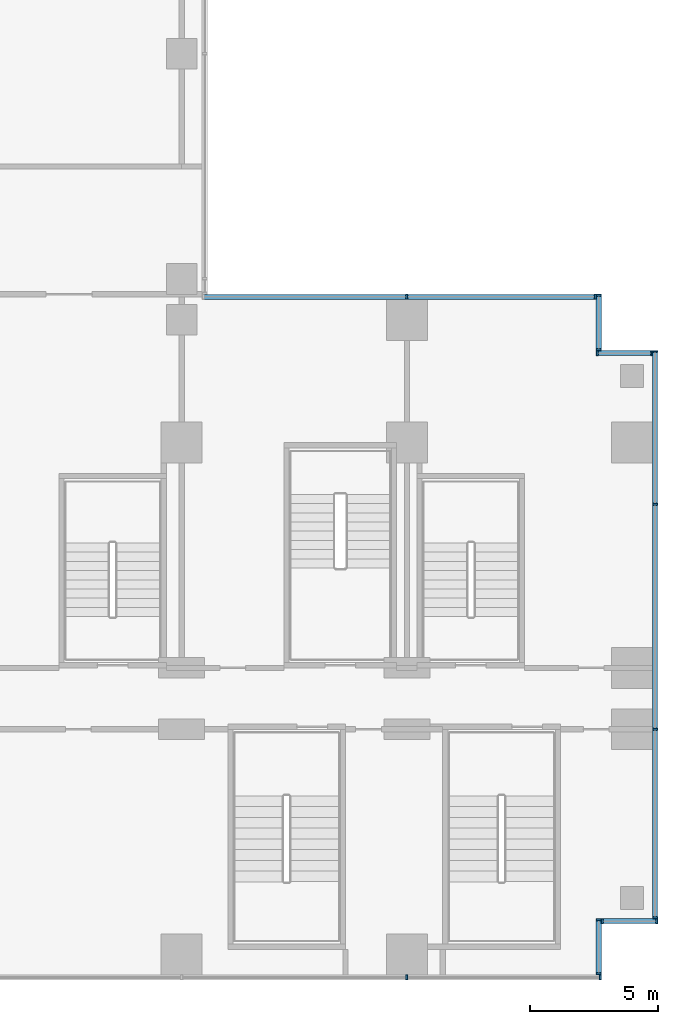
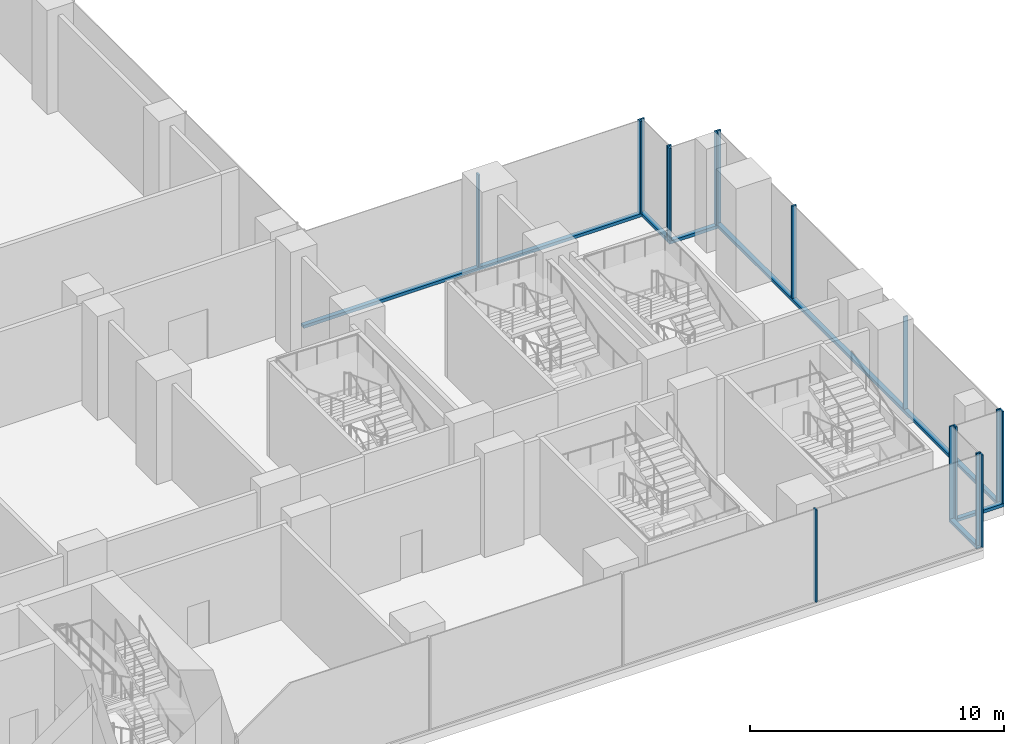
# One storey, part 10 of 30: 22 members, 7 elements without a shape of their own.
"""IFC4 building model written with IfcOpenShell, lengths in metres."""

from ifc_helpers import new_model, si_unit, direction, frame, origin, origin_2d, place, context, subcontext, project, spatial, rectangle, extrude, source, transform, mapped, material, material_profile, profile_set, type_object, element, aggregate, save


model = new_model("IFC4")

# Units and contexts
model_context = context("Model", 3, precision=1e-05, world=origin(), true_north=direction((0.0, 1.0)))
body_context = subcontext(model_context, "Body", "Model", "MODEL_VIEW")
ifc_project = project(units=[si_unit("LENGTHUNIT", "METRE"), si_unit("AREAUNIT", "SQUARE_METRE"), si_unit("VOLUMEUNIT", "CUBIC_METRE"), si_unit("PLANEANGLEUNIT", "RADIAN"), si_unit("MASSUNIT", "GRAM", prefix="KILO")], contexts=[model_context])

# Site, building, storey
site_placement = place(None, origin())
site = spatial("IfcSite", under=ifc_project, at=site_placement, CompositionType="ELEMENT")
building_placement = place(site_placement, origin())
building = spatial("IfcBuilding", under=site, at=building_placement, Name="Kemantara Hotel Tower", CompositionType="ELEMENT")
storey_placement = place(building_placement, frame((0.0, 0.0, 13.0)))
storey = spatial("IfcBuildingStorey", under=building, at=storey_placement, Name="L02", CompositionType="ELEMENT", Elevation=13.0)

# Curtain wall, member
ifc_material_1 = material(Name="Laminated tinted insulated glass 44 mm", Category="glass")
curtain_wall_type = type_object("IfcCurtainWallType", Name="PODIUM GLASS CURTAIN WALL", PredefinedType="USERDEFINED", material=ifc_material_1)
curtain_wall_1_placement = place(storey_placement, origin())
curtain_wall_1 = element("IfcCurtainWall", 1, at=curtain_wall_1_placement, inside=storey, type_object=curtain_wall_type, Name="CW1 L02 POD-R04-1", ObjectType="PODIUM GLASS CURTAIN WALL", PredefinedType="USERDEFINED")
ifc_material_2 = material(Name="Aluminium 6063-T6 bronze anodised", Category="aluminium")
ifc_material_profile_1 = material_profile(ifc_material_2, rectangle(XDim=0.199951171875, YDim=0.14990234375, at=origin_2d()), Name="PODIUM GLASS CURTAIN WALL TRANSOM")
ifc_profile_set_1 = profile_set([ifc_material_profile_1], Name="Aluminium 6063-T6 bronze anodised")
member_type_1 = type_object("IfcMemberType", Name="PODIUM GLASS CURTAIN WALL TRANSOM", PredefinedType="USERDEFINED", material=ifc_profile_set_1)
member_1_placement = place(storey_placement, frame((81.10009765625, 2.39990234375, 0.074951171875), z_axis=(0.0, 1.0, 0.0), x_axis=(-1.0, 0.0, 0.0)))
member_1 = element("IfcMember", 2, at=member_1_placement, type_object=member_type_1, Name="CW1 sill transom POD-R04-1", ObjectType="TRANSOM", PredefinedType="USERDEFINED", context=body_context, shape_type="SweptSolid", body=[
    extrude(rectangle(XDim=0.199951171875, YDim=0.14990234375, at=origin_2d()), origin(), (0.0, 0.0, 1.0), 22.2001953125),
])

curtain_wall_2_placement = place(storey_placement, origin())
curtain_wall_2 = element("IfcCurtainWall", 3, at=curtain_wall_2_placement, inside=storey, type_object=curtain_wall_type, Name="CW1 L02 POD-R07-1", ObjectType="PODIUM GLASS CURTAIN WALL", PredefinedType="USERDEFINED")
member_2_placement = place(storey_placement, frame((78.800048828125, 26.699951171875, 0.074951171875), z_axis=(-1.0, 0.0, 0.0), x_axis=(0.0, -1.0, 0.0)))
member_2 = element("IfcMember", 4, at=member_2_placement, type_object=member_type_1, Name="CW1 sill transom POD-R07-1", ObjectType="TRANSOM", PredefinedType="USERDEFINED", context=body_context, shape_type="SweptSolid", body=[
    extrude(rectangle(XDim=0.199951171875, YDim=0.14990234375, at=origin_2d()), origin(), (0.0, 0.0, 1.0), 15.400146484375),
])

curtain_wall_3_placement = place(storey_placement, origin())
curtain_wall_3 = element("IfcCurtainWall", 5, at=curtain_wall_3_placement, inside=storey, type_object=curtain_wall_type, Name="CW1 L02 POD-R02-1", ObjectType="PODIUM GLASS CURTAIN WALL", PredefinedType="USERDEFINED")
member_3_placement = place(storey_placement, frame((78.89990234375, 0.199951171875, 0.074951171875), z_axis=(0.0, 1.0, 0.0), x_axis=(-1.0, 0.0, 0.0)))
member_3 = element("IfcMember", 6, at=member_3_placement, type_object=member_type_1, Name="CW1 sill transom POD-R02-1", ObjectType="TRANSOM", PredefinedType="USERDEFINED", context=body_context, shape_type="SweptSolid", body=[
    extrude(rectangle(XDim=0.199951171875, YDim=0.14990234375, at=origin_2d()), origin(), (0.0, 0.0, 1.0), 2.199951171875),
])

curtain_wall_4_placement = place(storey_placement, origin())
curtain_wall_4 = element("IfcCurtainWall", 7, at=curtain_wall_4_placement, inside=storey, type_object=curtain_wall_type, Name="CW1 L02 POD-R03-1", ObjectType="PODIUM GLASS CURTAIN WALL", PredefinedType="USERDEFINED")
member_4_placement = place(storey_placement, frame((79.0, 2.300048828125, 0.074951171875), z_axis=(1.0, 0.0, 0.0), x_axis=(0.0, 1.0, 0.0)))
member_4 = element("IfcMember", 8, at=member_4_placement, type_object=member_type_1, Name="CW1 sill transom POD-R03-1", ObjectType="TRANSOM", PredefinedType="USERDEFINED", context=body_context, shape_type="SweptSolid", body=[
    extrude(rectangle(XDim=0.199951171875, YDim=0.14990234375, at=origin_2d()), origin(), (0.0, 0.0, 1.0), 2.199951171875),
])

curtain_wall_5_placement = place(storey_placement, origin())
curtain_wall_5 = element("IfcCurtainWall", 9, at=curtain_wall_5_placement, inside=storey, type_object=curtain_wall_type, Name="CW1 L02 POD-R05-1", ObjectType="PODIUM GLASS CURTAIN WALL", PredefinedType="USERDEFINED")
member_5_placement = place(storey_placement, frame((81.0, 24.5, 0.074951171875), z_axis=(-1.0, 0.0, 0.0), x_axis=(0.0, -1.0, 0.0)))
member_5 = element("IfcMember", 10, at=member_5_placement, type_object=member_type_1, Name="CW1 sill transom POD-R05-1", ObjectType="TRANSOM", PredefinedType="USERDEFINED", context=body_context, shape_type="SweptSolid", body=[
    extrude(rectangle(XDim=0.199951171875, YDim=0.14990234375, at=origin_2d()), origin(), (0.0, 0.0, 1.0), 2.199951171875),
])

curtain_wall_6_placement = place(storey_placement, origin())
curtain_wall_6 = element("IfcCurtainWall", 11, at=curtain_wall_6_placement, inside=storey, type_object=curtain_wall_type, Name="CW1 L02 POD-R06-1", ObjectType="PODIUM GLASS CURTAIN WALL", PredefinedType="USERDEFINED")
member_6_placement = place(storey_placement, frame((78.89990234375, 24.60009765625, 0.074951171875), z_axis=(0.0, 1.0, 0.0), x_axis=(-1.0, 0.0, 0.0)))
member_6 = element("IfcMember", 12, at=member_6_placement, type_object=member_type_1, Name="CW1 sill transom POD-R06-1", ObjectType="TRANSOM", PredefinedType="USERDEFINED", context=body_context, shape_type="SweptSolid", body=[
    extrude(rectangle(XDim=0.199951171875, YDim=0.14990234375, at=origin_2d()), origin(), (0.0, 0.0, 1.0), 2.199951171875),
])

# Curtain wall, members
curtain_wall_7_placement = place(storey_placement, origin())
curtain_wall_7 = element("IfcCurtainWall", 13, at=curtain_wall_7_placement, inside=storey, type_object=curtain_wall_type, Name="CW1 L02 POD-R01-2", ObjectType="PODIUM GLASS CURTAIN WALL", PredefinedType="USERDEFINED")
ifc_material_profile_2 = material_profile(ifc_material_2, rectangle(XDim=0.199951171875, YDim=0.074951171875, at=origin_2d()), Name="PODIUM GLASS CURTAIN WALL MULLION")
ifc_profile_set_2 = profile_set([ifc_material_profile_2], Name="Aluminium 6063-T6 bronze anodised")
member_type_2 = type_object("IfcMemberType", Name="PODIUM GLASS CURTAIN WALL MULLION", PredefinedType="MULLION", material=ifc_profile_set_2)
shared_shape = source(origin(), body_context, "Body", "SweptSolid", [
    extrude(rectangle(XDim=0.199951171875, YDim=0.074951171875, at=origin_2d()), origin(), (0.0, 0.0, 1.0), 4.4501953125),
])
member_7_placement = place(storey_placement, frame((71.39990234375, 0.10009765625, 0.14990234375), z_axis=(0.0, 0.0, 1.0), x_axis=(0.0, 1.0, 0.0)))
member_7 = element("IfcMember", 14, at=member_7_placement, type_object=member_type_2, Name="CW1 mullion POD-R01-2.4", PredefinedType="MULLION", context=body_context, shape_type="MappedRepresentation", body=[
    mapped(shared_shape, transform((0.0, 0.0, 0.0))),
])
member_8_placement = place(storey_placement, frame((78.96240234375, 0.10009765625, 0.14990234375), z_axis=(0.0, 0.0, 1.0), x_axis=(0.0, 1.0, 0.0)))
member_8 = element("IfcMember", 15, at=member_8_placement, type_object=member_type_2, Name="CW1 mullion POD-R01-2.5", PredefinedType="MULLION", context=body_context, shape_type="MappedRepresentation", body=[
    mapped(shared_shape, transform((0.0, 0.0, 0.0))),
])
aggregate(curtain_wall_7, [member_7, member_8])

# Member
member_9_placement = place(storey_placement, frame((81.10009765625, 2.4375, 0.14990234375), z_axis=(0.0, 0.0, 1.0), x_axis=(-1.0, 0.0, 0.0)))
member_9 = element("IfcMember", 16, at=member_9_placement, type_object=member_type_2, Name="CW1 mullion POD-R04-1.1", PredefinedType="MULLION", context=body_context, shape_type="MappedRepresentation", body=[
    mapped(shared_shape, transform((0.0, 0.0, 0.0))),
])

member_10_placement = place(storey_placement, frame((81.10009765625, 9.800048828125, 0.14990234375), z_axis=(0.0, 0.0, 1.0), x_axis=(-1.0, 0.0, 0.0)))
member_10 = element("IfcMember", 17, at=member_10_placement, type_object=member_type_2, Name="CW1 mullion POD-R04-1.2", PredefinedType="MULLION", context=body_context, shape_type="MappedRepresentation", body=[
    mapped(shared_shape, transform((0.0, 0.0, 0.0))),
])

member_11_placement = place(storey_placement, frame((81.10009765625, 18.60009765625, 0.14990234375), z_axis=(0.0, 0.0, 1.0), x_axis=(-1.0, 0.0, 0.0)))
member_11 = element("IfcMember", 18, at=member_11_placement, type_object=member_type_2, Name="CW1 mullion POD-R04-1.3", PredefinedType="MULLION", context=body_context, shape_type="MappedRepresentation", body=[
    mapped(shared_shape, transform((0.0, 0.0, 0.0))),
])

member_12_placement = place(storey_placement, frame((81.10009765625, 24.5625, 0.14990234375), z_axis=(0.0, 0.0, 1.0), x_axis=(-1.0, 0.0, 0.0)))
member_12 = element("IfcMember", 19, at=member_12_placement, type_object=member_type_2, Name="CW1 mullion POD-R04-1.4", PredefinedType="MULLION", context=body_context, shape_type="MappedRepresentation", body=[
    mapped(shared_shape, transform((0.0, 0.0, 0.0))),
])

aggregate(curtain_wall_1, [member_1, member_9, member_10, member_11, member_12])

member_13_placement = place(storey_placement, frame((78.762451171875, 26.699951171875, 0.14990234375), z_axis=(0.0, 0.0, 1.0), x_axis=(0.0, -1.0, 0.0)))
member_13 = element("IfcMember", 20, at=member_13_placement, type_object=member_type_2, Name="CW1 mullion POD-R07-1.1", PredefinedType="MULLION", context=body_context, shape_type="MappedRepresentation", body=[
    mapped(shared_shape, transform((0.0, 0.0, 0.0))),
])

member_14_placement = place(storey_placement, frame((71.39990234375, 26.699951171875, 0.14990234375), z_axis=(0.0, 0.0, 1.0), x_axis=(0.0, -1.0, 0.0)))
member_14 = element("IfcMember", 21, at=member_14_placement, type_object=member_type_2, Name="CW1 mullion POD-R07-1.2", PredefinedType="MULLION", context=body_context, shape_type="MappedRepresentation", body=[
    mapped(shared_shape, transform((0.0, 0.0, 0.0))),
])

aggregate(curtain_wall_2, [member_2, member_13, member_14])

member_15_placement = place(storey_placement, frame((78.89990234375, 0.237548828125, 0.14990234375), z_axis=(0.0, 0.0, 1.0), x_axis=(-1.0, 0.0, 0.0)))
member_15 = element("IfcMember", 22, at=member_15_placement, type_object=member_type_2, Name="CW1 mullion POD-R02-1.1", PredefinedType="MULLION", context=body_context, shape_type="MappedRepresentation", body=[
    mapped(shared_shape, transform((0.0, 0.0, 0.0))),
])

member_16_placement = place(storey_placement, frame((78.89990234375, 2.362548828125, 0.14990234375), z_axis=(0.0, 0.0, 1.0), x_axis=(-1.0, 0.0, 0.0)))
member_16 = element("IfcMember", 23, at=member_16_placement, type_object=member_type_2, Name="CW1 mullion POD-R02-1.2", PredefinedType="MULLION", context=body_context, shape_type="MappedRepresentation", body=[
    mapped(shared_shape, transform((0.0, 0.0, 0.0))),
])

aggregate(curtain_wall_3, [member_3, member_15, member_16])

member_17_placement = place(storey_placement, frame((79.03759765625, 2.300048828125, 0.14990234375), z_axis=(0.0, 0.0, 1.0), x_axis=(0.0, 1.0, 0.0)))
member_17 = element("IfcMember", 24, at=member_17_placement, type_object=member_type_2, Name="CW1 mullion POD-R03-1.1", PredefinedType="MULLION", context=body_context, shape_type="MappedRepresentation", body=[
    mapped(shared_shape, transform((0.0, 0.0, 0.0))),
])

member_18_placement = place(storey_placement, frame((81.16259765625, 2.300048828125, 0.14990234375), z_axis=(0.0, 0.0, 1.0), x_axis=(0.0, 1.0, 0.0)))
member_18 = element("IfcMember", 25, at=member_18_placement, type_object=member_type_2, Name="CW1 mullion POD-R03-1.2", PredefinedType="MULLION", context=body_context, shape_type="MappedRepresentation", body=[
    mapped(shared_shape, transform((0.0, 0.0, 0.0))),
])

aggregate(curtain_wall_4, [member_4, member_17, member_18])

member_19_placement = place(storey_placement, frame((80.96240234375, 24.5, 0.14990234375), z_axis=(0.0, 0.0, 1.0), x_axis=(0.0, -1.0, 0.0)))
member_19 = element("IfcMember", 26, at=member_19_placement, type_object=member_type_2, Name="CW1 mullion POD-R05-1.1", PredefinedType="MULLION", context=body_context, shape_type="MappedRepresentation", body=[
    mapped(shared_shape, transform((0.0, 0.0, 0.0))),
])

member_20_placement = place(storey_placement, frame((78.83740234375, 24.5, 0.14990234375), z_axis=(0.0, 0.0, 1.0), x_axis=(0.0, -1.0, 0.0)))
member_20 = element("IfcMember", 27, at=member_20_placement, type_object=member_type_2, Name="CW1 mullion POD-R05-1.2", PredefinedType="MULLION", context=body_context, shape_type="MappedRepresentation", body=[
    mapped(shared_shape, transform((0.0, 0.0, 0.0))),
])

aggregate(curtain_wall_5, [member_5, member_19, member_20])

member_21_placement = place(storey_placement, frame((78.89990234375, 24.637451171875, 0.14990234375), z_axis=(0.0, 0.0, 1.0), x_axis=(-1.0, 0.0, 0.0)))
member_21 = element("IfcMember", 28, at=member_21_placement, type_object=member_type_2, Name="CW1 mullion POD-R06-1.1", PredefinedType="MULLION", context=body_context, shape_type="MappedRepresentation", body=[
    mapped(shared_shape, transform((0.0, 0.0, 0.0))),
])

member_22_placement = place(storey_placement, frame((78.89990234375, 26.762451171875, 0.14990234375), z_axis=(0.0, 0.0, 1.0), x_axis=(-1.0, 0.0, 0.0)))
member_22 = element("IfcMember", 29, at=member_22_placement, type_object=member_type_2, Name="CW1 mullion POD-R06-1.2", PredefinedType="MULLION", context=body_context, shape_type="MappedRepresentation", body=[
    mapped(shared_shape, transform((0.0, 0.0, 0.0))),
])

aggregate(curtain_wall_6, [member_6, member_21, member_22])

save(model, "model.ifc")
